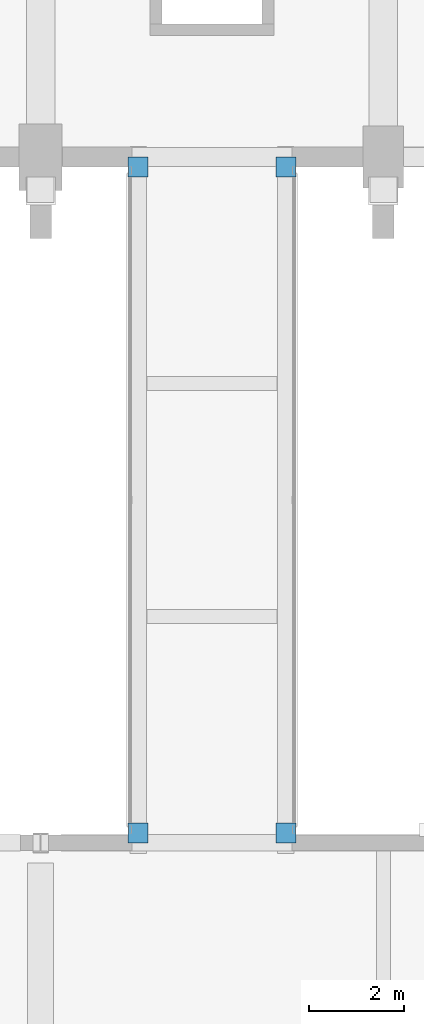
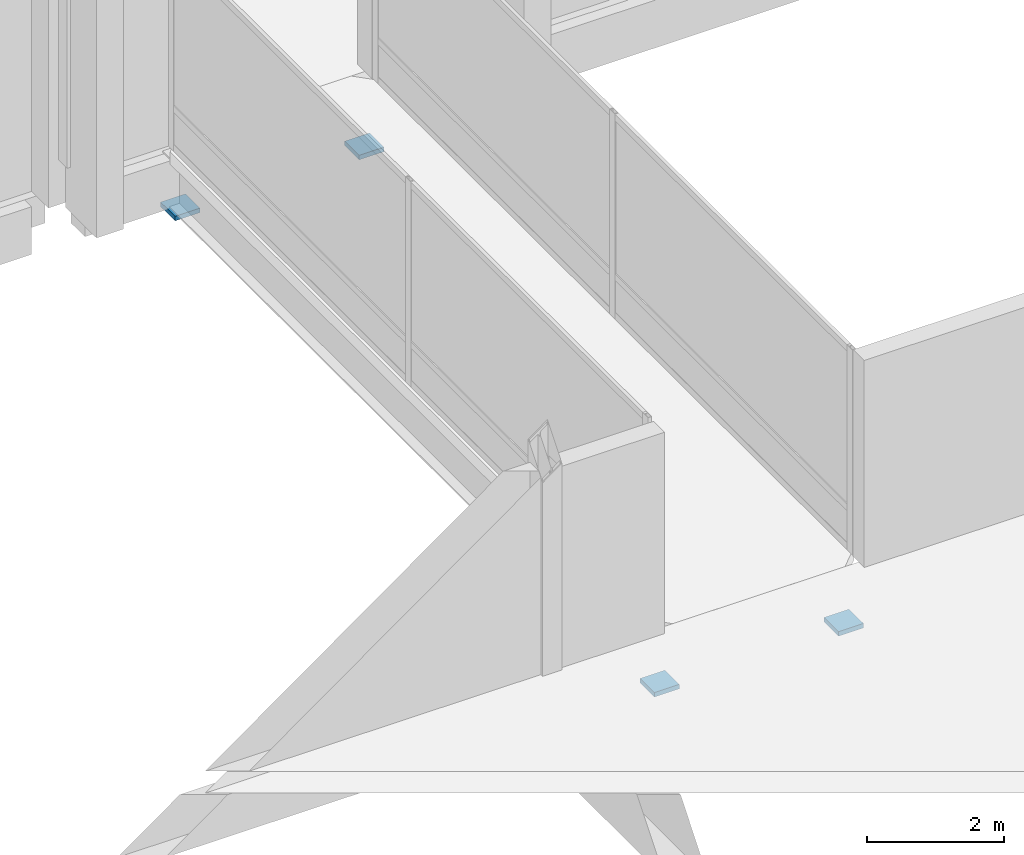
# One storey, part 175 of 220: 4 discrete accessories.
"""IFC4 building model written with IfcOpenShell, lengths in metres."""

import ifcopenshell
import ifcopenshell.guid

model = None  # the IFC model being written
_history = None  # IfcOwnerHistory: only IFC2X3 demands one
_inside = {}  # id of a spatial element -> (the spatial element, [elements in it])
_under = {}  # id of a project, library or spatial element -> (it, [spatial elements below it])
_declared = {}  # id of a project -> (the project, [libraries it declares])
_typed = {}  # id of a type object -> (the type object, [elements of that type])
_made_of = {}  # id of a material, layer set ... -> (it, [elements and type objects made of it])


def new_model(schema):
    """Start an empty IFC model of exactly this schema.

    Asked for "IFC4X3", IfcOpenShell would pick the latest addendum, in which some entities
    have other attributes; the version numbers below select the first issue.
    IFC2X3 requires an IfcOwnerHistory on every rooted entity: one is made here for all.
    """
    global model, _history
    if schema == "IFC4X3":
        model = ifcopenshell.file(schema_version=(4, 3, 0, 0))
    else:
        model = ifcopenshell.file(schema=schema)
    _inside.clear()
    _under.clear()
    _declared.clear()
    _typed.clear()
    _made_of.clear()
    _history = None
    if model.schema == "IFC2X3":
        org = make("IfcOrganization", Name="unknown")
        user = make(
            "IfcPersonAndOrganization",
            ThePerson=make("IfcPerson", FamilyName="unknown"),
            TheOrganization=org,
        )
        app = make(
            "IfcApplication",
            ApplicationDeveloper=org,
            Version="unknown",
            ApplicationFullName="unknown",
            ApplicationIdentifier="unknown",
        )
        _history = make(
            "IfcOwnerHistory",
            OwningUser=user,
            OwningApplication=app,
            ChangeAction="ADDED",
            CreationDate=0,
        )
    return model


def make(cls, **values):
    """One entity of the class cls with the attributes given. An attribute that is None is left unset."""
    return model.create_entity(
        cls, **{name: value for name, value in values.items() if value is not None}
    )


def rooted(cls, **values):
    """An entity with a GlobalId (a new one), such as an element, a storey or a relation."""
    return make(cls, GlobalId=ifcopenshell.guid.new(), OwnerHistory=_history, **values)


def si_unit(unit_type, name, prefix=None):
    """IfcSIUnit, for example si_unit("LENGTHUNIT", "METRE", prefix="MILLI")."""
    return make("IfcSIUnit", UnitType=unit_type, Prefix=prefix, Name=name)


def assignment(units):
    """IfcUnitAssignment: the units of a project."""
    return None if units is None else make("IfcUnitAssignment", Units=units)


def point(xyz):
    """IfcCartesianPoint."""
    return None if xyz is None else make("IfcCartesianPoint", Coordinates=xyz)


def direction(xyz):
    """IfcDirection."""
    return None if xyz is None else make("IfcDirection", DirectionRatios=xyz)


def frame(location, z_axis=None, x_axis=None):
    """IfcAxis2Placement3D, a coordinate frame: its origin and axes. An axis left out is left unset."""
    return make(
        "IfcAxis2Placement3D",
        Location=point(location),
        Axis=direction(z_axis),
        RefDirection=direction(x_axis),
    )


def frame_2d(location, x_axis=None):
    """IfcAxis2Placement2D, a coordinate frame in the plane: its origin and x axis."""
    return make(
        "IfcAxis2Placement2D", Location=point(location), RefDirection=direction(x_axis)
    )


def origin():
    """The frame at (0, 0, 0) with its axes left unset."""
    return frame((0.0, 0.0, 0.0))


def origin_2d():
    """The frame at (0, 0) in the plane with its x axis left unset."""
    return frame_2d((0.0, 0.0))


def place(relative_to, where):
    """IfcLocalPlacement: puts the frame where relative to a parent placement (None: the world)."""
    return make(
        "IfcLocalPlacement", PlacementRelTo=relative_to, RelativePlacement=where
    )


def context(
    kind, dimensions, precision=None, world=None, true_north=None, identifier=None
):
    """IfcGeometricRepresentationContext, for example the 3D "Model" context."""
    return make(
        "IfcGeometricRepresentationContext",
        ContextIdentifier=identifier,
        ContextType=kind,
        CoordinateSpaceDimension=dimensions,
        Precision=precision,
        WorldCoordinateSystem=world,
        TrueNorth=true_north,
    )


def subcontext(parent, identifier, kind, view, scale=None):
    """IfcGeometricRepresentationSubContext, for example "Body" below "Model"."""
    return make(
        "IfcGeometricRepresentationSubContext",
        ContextIdentifier=identifier,
        ContextType=kind,
        ParentContext=parent,
        TargetScale=scale,
        TargetView=view,
    )


def project(units=None, contexts=None):
    """IfcProject with its units and contexts."""
    return rooted(
        "IfcProject",
        Name="project",
        RepresentationContexts=contexts,
        UnitsInContext=assignment(units),
    )


def spatial(cls, under=None, at=None, **own):
    """A site, building, storey or space (cls), placed at a placement, below another one or the project."""
    s = rooted(cls, ObjectPlacement=at, **own)
    if under is not None:
        _under.setdefault(under.id(), (under, []))[1].append(s)
    return s


def profile(cls, at=None, kind="AREA", **sizes):
    """A parametric profile (cls). Its sizes go by their IFC names, for example OverallWidth=200.0."""
    return make(cls, ProfileType=kind, Position=at, **sizes)


def rectangle(**sizes):
    """IfcRectangleProfileDef."""
    return profile("IfcRectangleProfileDef", **sizes)


def extrude(swept, where, along, depth):
    """IfcExtrudedAreaSolid: the profile swept, set in the frame where, extruded along a direction by depth."""
    return make(
        "IfcExtrudedAreaSolid",
        SweptArea=swept,
        Position=where,
        ExtrudedDirection=direction(along),
        Depth=depth,
    )


def shape(context_of_items, identifier, shape_type, items):
    """IfcShapeRepresentation: the items that make up one representation, for example the "Body"."""
    return make(
        "IfcShapeRepresentation",
        ContextOfItems=context_of_items,
        RepresentationIdentifier=identifier,
        RepresentationType=shape_type,
        Items=items,
    )


def material(Name=None, Category=None):
    """IfcMaterial."""
    return make("IfcMaterial", Name=Name, Category=Category)


def made_of(thing, what):
    """Note that an element or type object is made of a material, layer set ...; save() writes the relation."""
    if what is not None:
        _made_of.setdefault(what.id(), (what, []))[1].append(thing)
    return thing


def type_object(cls, material=None, **own):
    """A type object (cls), such as IfcWallType, which elements share."""
    return made_of(rooted(cls, **own), material)


def element(
    cls,
    number,
    at=None,
    inside=None,
    cuts=None,
    type_object=None,
    material=None,
    context=None,
    identifier="Body",
    shape_type=None,
    held_by="IfcProductDefinitionShape",
    body=None,
    shapes=None,
    **own,
):
    """One element of the class cls, such as IfcWall. Its Tag is "e" and its number.

    at: its placement. inside: the storey or other place that contains it. cuts: it is an
    opening in that element (IfcRelVoidsElement). A single representation is given by context,
    identifier, shape_type and body (its items); several are given by shapes. held_by: the class
    of the entity that holds the representations. save() writes the other relations.
    """
    e = rooted(cls, Tag="e%d" % number, ObjectPlacement=at, **own)
    if body is not None:
        shapes = [shape(context, identifier, shape_type, body)]
    if shapes is not None:
        e.Representation = make(held_by, Representations=shapes)
    if inside is not None:
        _inside.setdefault(inside.id(), (inside, []))[1].append(e)
    if cuts is not None:
        rooted(
            "IfcRelVoidsElement", RelatingBuildingElement=cuts, RelatedOpeningElement=e
        )
    if type_object is not None:
        _typed.setdefault(type_object.id(), (type_object, []))[1].append(e)
    return made_of(e, material)


def aggregate(whole, parts):
    """IfcRelAggregates: a whole, such as a stair, and the parts it consists of."""
    return rooted("IfcRelAggregates", RelatingObject=whole, RelatedObjects=parts)


def save(model, path):
    """Write the relations noted so far, then the file.

    IfcRelAggregates (storeys below a building ...), IfcRelContainedInSpatialStructure (elements
    in a storey), IfcRelDefinesByType, IfcRelAssociatesMaterial and IfcRelDeclares: one each for
    every whole, place, type object, material and project.
    """
    for whole, parts in _under.values():
        aggregate(whole, parts)
    for where, things in _inside.values():
        rooted(
            "IfcRelContainedInSpatialStructure",
            RelatedElements=things,
            RelatingStructure=where,
        )
    for kind, things in _typed.values():
        rooted("IfcRelDefinesByType", RelatedObjects=things, RelatingType=kind)
    for what, things in _made_of.values():
        rooted("IfcRelAssociatesMaterial", RelatedObjects=things, RelatingMaterial=what)
    for by, libraries in _declared.values():
        rooted("IfcRelDeclares", RelatingContext=by, RelatedDefinitions=libraries)
    model.write(path)


model = new_model("IFC4")

# Units and contexts
model_context = context("Model", 3, precision=1e-05, world=origin(), true_north=direction((0.0, 1.0)))
body_context = subcontext(model_context, "Body", "Model", "MODEL_VIEW")
ifc_project = project(units=[si_unit("LENGTHUNIT", "METRE"), si_unit("AREAUNIT", "SQUARE_METRE"), si_unit("VOLUMEUNIT", "CUBIC_METRE"), si_unit("PLANEANGLEUNIT", "RADIAN"), si_unit("MASSUNIT", "GRAM", prefix="KILO")], contexts=[model_context])

# Site, building, storey
site_placement = place(None, origin())
site = spatial("IfcSite", under=ifc_project, at=site_placement, CompositionType="ELEMENT")
building_placement = place(site_placement, origin())
building = spatial("IfcBuilding", under=site, at=building_placement, Name="Cendralis Lancet Convention Centre", CompositionType="ELEMENT")
storey_placement = place(building_placement, frame((0.0, 0.0, 5.39990234375)))
storey = spatial("IfcBuildingStorey", under=building, at=storey_placement, Name="L01", CompositionType="ELEMENT", Elevation=5.39990234375)

# Discrete accessories
ifc_material = material(Name="Elastomeric-PTFE sliding bridge bearing")
discrete_accessory_type = type_object("IfcDiscreteAccessoryType", Name="STR-BRG-PTFE", PredefinedType="SHOE", material=ifc_material)
for number, where, z_axis, x_axis, name in (
    (1, (16.449951171875, 36.2099609375, -1.199951171875), (0.0, 0.0, 1.0), (1.0, 0.0, 0.0), "Unguided PTFE Sliding Bridge Bearing SB-PTFE #049"),
    (2, (16.449951171875, 50.18994140625, -1.199951171875), (0.0, 0.0, 1.0), (1.0, 0.0, 0.0), "Unguided PTFE Sliding Bridge Bearing SB-PTFE #050"),
    (3, (19.550048828125, 36.2099609375, -1.199951171875), (0.0, 0.0, 1.0), (1.0, 0.0, 0.0), "Unguided PTFE Sliding Bridge Bearing SB-PTFE #051"),
    (4, (19.550048828125, 50.18994140625, -1.199951171875), (0.0, 0.0, 1.0), (1.0, 0.0, 0.0), "Unguided PTFE Sliding Bridge Bearing SB-PTFE #052"),
):
    element("IfcDiscreteAccessory", number, at=place(storey_placement, frame(where, z_axis=z_axis, x_axis=x_axis)), inside=storey, type_object=discrete_accessory_type, Name=name, PredefinedType="SHOE", context=body_context, shape_type="SweptSolid", body=[
        extrude(rectangle(XDim=0.419921875, YDim=0.419921875, at=origin_2d()), origin(), (0.0, 0.0, 1.0), 0.080078125),
    ])

save(model, "model.ifc")
